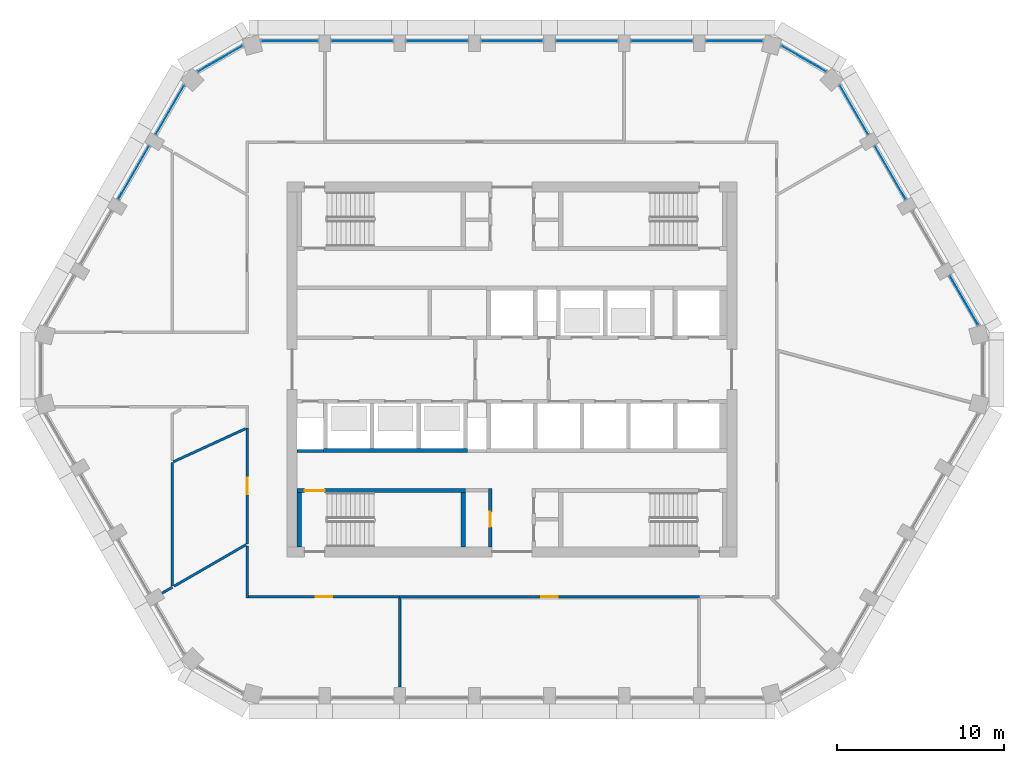
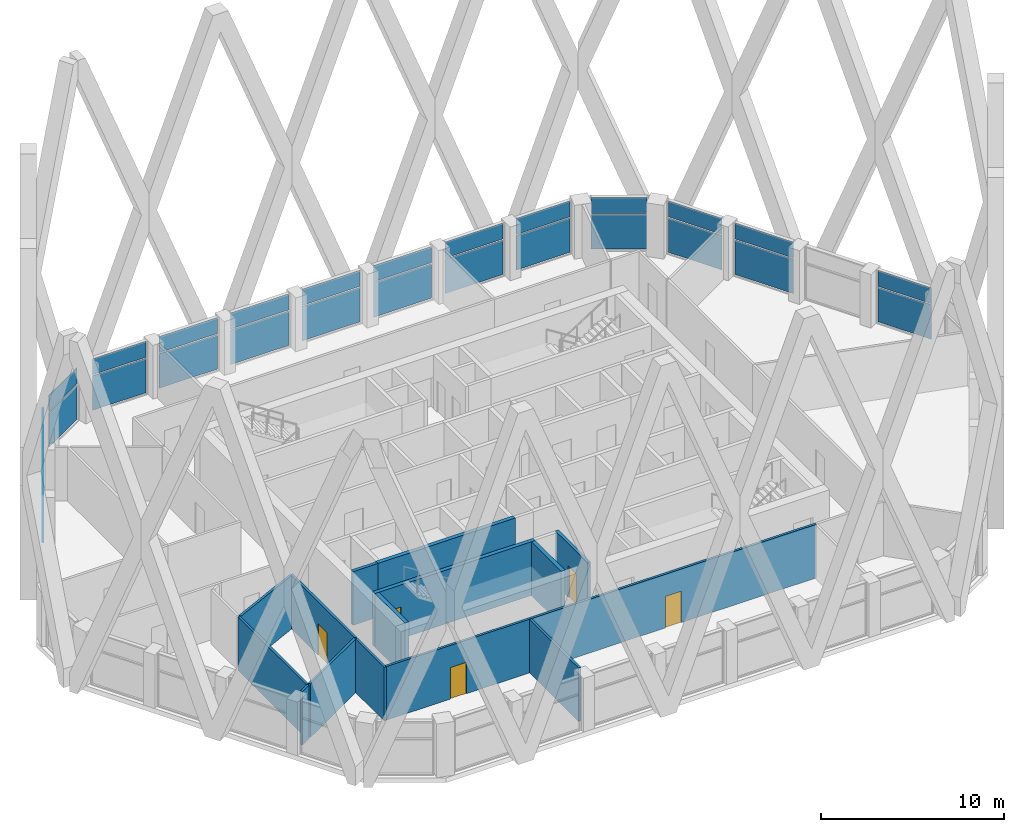
# One storey, part 8 of 20: 28 plates, 15 walls, 5 doors, 5 openings, 14 elements without a shape of their own.
"""IFC4 building model written with IfcOpenShell, lengths in metres."""

from ifc_helpers import new_model, si_unit, direction, frame, frame_2d, origin, origin_2d, place, context, subcontext, project, spatial, polyline, rectangle, outline, extrude, material, layer, layer_set, type_object, element, fill, aggregate, save


model = new_model("IFC4")

# Units and contexts
model_context = context("Model", 3, precision=1e-05, world=origin(), true_north=direction((0.0, 1.0)))
body_context = subcontext(model_context, "Body", "Model", "MODEL_VIEW")
ifc_project = project(units=[si_unit("LENGTHUNIT", "METRE"), si_unit("AREAUNIT", "SQUARE_METRE"), si_unit("VOLUMEUNIT", "CUBIC_METRE"), si_unit("PLANEANGLEUNIT", "RADIAN"), si_unit("MASSUNIT", "GRAM", prefix="KILO")], contexts=[model_context])

# Site, building, storey
site_placement = place(None, origin())
site = spatial("IfcSite", under=ifc_project, at=site_placement, CompositionType="ELEMENT")
building_placement = place(site_placement, origin())
building = spatial("IfcBuilding", under=site, at=building_placement, Name="Dhurran Vertical Campus", CompositionType="ELEMENT")
storey_placement = place(building_placement, frame((0.0, 0.0, 235.199951171875)))
storey = spatial("IfcBuildingStorey", under=building, at=storey_placement, Name="L58", CompositionType="ELEMENT", Elevation=235.199951171875)

# Curtain wall, plates
ifc_material_1 = material(Name="Aluminium frame with solar-control glass", Category="aluminium")
ifc_layer_1 = layer(ifc_material_1, 0.25)
ifc_layer_set_1 = layer_set([ifc_layer_1], Name="Aluminium frame with solar-control glass")
curtain_wall_type = type_object("IfcCurtainWallType", Name="Sky lobby glazing system", PredefinedType="NOTDEFINED", material=ifc_layer_set_1)
curtain_wall_1_placement = place(storey_placement, origin())
curtain_wall_1 = element("IfcCurtainWall", 1, at=curtain_wall_1_placement, inside=storey, type_object=curtain_wall_type, Name="CW3 L58.13", PredefinedType="NOTDEFINED")
ifc_material_2 = material(Name="Clear solar-control glass", Category="glass")
ifc_layer_2 = layer(ifc_material_2, 0.028076171875)
ifc_layer_set_2 = layer_set([ifc_layer_2], Name="Clear solar-control glass")
plate_type = type_object("IfcPlateType", Name="Sky lobby glazing system panel", PredefinedType="CURTAIN_PANEL", material=ifc_layer_set_2)
plate_1_placement = place(storey_placement, frame((27.143798828125, 4.154052734375, 0.070068359375), z_axis=(0.0, 0.0, 1.0), x_axis=(-0.500001294024, 0.866024656678, 0.0)))
plate_1 = element("IfcPlate", 2, at=plate_1_placement, type_object=plate_type, Name="CW3 panel 1.1", PredefinedType="CURTAIN_PANEL", context=body_context, shape_type="SweptSolid", body=[
    extrude(rectangle(XDim=3.357666015625, YDim=0.028076171875, at=origin_2d()), origin(), (0.0, 0.0, 1.0), 2.294921875),
])
plate_2_placement = place(storey_placement, frame((27.143798828125, 4.154052734375, 2.43505859375), z_axis=(0.0, 0.0, 1.0), x_axis=(-0.500001294024, 0.866024656678, 0.0)))
plate_2 = element("IfcPlate", 3, at=plate_2_placement, type_object=plate_type, Name="CW3 panel 1.2", PredefinedType="CURTAIN_PANEL", context=body_context, shape_type="SweptSolid", body=[
    extrude(rectangle(XDim=3.357666015625, YDim=0.028076171875, at=origin_2d()), origin(), (0.0, 0.0, 1.0), 1.070068359375),
])
aggregate(curtain_wall_1, [plate_1, plate_2])

curtain_wall_2_placement = place(storey_placement, origin())
curtain_wall_2 = element("IfcCurtainWall", 4, at=curtain_wall_2_placement, inside=storey, type_object=curtain_wall_type, Name="CW3 L58.15", PredefinedType="NOTDEFINED")
plate_3_placement = place(storey_placement, frame((22.718994140625, 11.81787109375, 0.070068359375), z_axis=(0.0, 0.0, 1.0), x_axis=(-0.500003477457, 0.866023396064, 0.0)))
plate_3 = element("IfcPlate", 5, at=plate_3_placement, type_object=plate_type, Name="CW3 panel 1.1", PredefinedType="CURTAIN_PANEL", context=body_context, shape_type="SweptSolid", body=[
    extrude(rectangle(XDim=3.658935546875, YDim=0.028076171875, at=origin_2d()), origin(), (0.0, 0.0, 1.0), 2.294921875),
])
plate_4_placement = place(storey_placement, frame((22.718994140625, 11.81787109375, 2.43505859375), z_axis=(0.0, 0.0, 1.0), x_axis=(-0.500003477457, 0.866023396064, 0.0)))
plate_4 = element("IfcPlate", 6, at=plate_4_placement, type_object=plate_type, Name="CW3 panel 1.2", PredefinedType="CURTAIN_PANEL", context=body_context, shape_type="SweptSolid", body=[
    extrude(rectangle(XDim=3.658935546875, YDim=0.028076171875, at=origin_2d()), origin(), (0.0, 0.0, 1.0), 1.070068359375),
])
aggregate(curtain_wall_2, [plate_3, plate_4])

curtain_wall_3_placement = place(storey_placement, origin())
curtain_wall_3 = element("IfcCurtainWall", 7, at=curtain_wall_3_placement, inside=storey, type_object=curtain_wall_type, Name="CW3 L58.16", PredefinedType="NOTDEFINED")
plate_5_placement = place(storey_placement, frame((20.54443359375, 15.58447265625, 0.070068359375), z_axis=(0.0, 0.0, 1.0), x_axis=(-0.500010356607, 0.866019424312, 0.0)))
plate_5 = element("IfcPlate", 8, at=plate_5_placement, type_object=plate_type, Name="CW3 panel 1.1", PredefinedType="CURTAIN_PANEL", context=body_context, shape_type="SweptSolid", body=[
    extrude(rectangle(XDim=3.357666015625, YDim=0.028076171875, at=origin_2d()), origin(), (0.0, 0.0, 1.0), 2.294921875),
])
plate_6_placement = place(storey_placement, frame((20.54443359375, 15.58447265625, 2.43505859375), z_axis=(0.0, 0.0, 1.0), x_axis=(-0.500010356607, 0.866019424312, 0.0)))
plate_6 = element("IfcPlate", 9, at=plate_6_placement, type_object=plate_type, Name="CW3 panel 1.2", PredefinedType="CURTAIN_PANEL", context=body_context, shape_type="SweptSolid", body=[
    extrude(rectangle(XDim=3.357666015625, YDim=0.028076171875, at=origin_2d()), origin(), (0.0, 0.0, 1.0), 1.070068359375),
])
aggregate(curtain_wall_3, [plate_5, plate_6])

curtain_wall_4_placement = place(storey_placement, origin())
curtain_wall_4 = element("IfcCurtainWall", 10, at=curtain_wall_4_placement, inside=storey, type_object=curtain_wall_type, Name="CW3 L58.17", PredefinedType="NOTDEFINED")
plate_7_placement = place(storey_placement, frame((17.523681640625, 18.660400390625, 0.070068359375), z_axis=(0.0, 0.0, 1.0), x_axis=(-0.866026155017, 0.499998698825, 0.0)))
plate_7 = element("IfcPlate", 11, at=plate_7_placement, type_object=plate_type, Name="CW3 panel 1.1", PredefinedType="CURTAIN_PANEL", context=body_context, shape_type="SweptSolid", body=[
    extrude(rectangle(XDim=3.05615234375, YDim=0.028076171875, at=origin_2d()), origin(), (0.0, 0.0, 1.0), 2.294921875),
])
plate_8_placement = place(storey_placement, frame((17.523681640625, 18.660400390625, 2.43505859375), z_axis=(0.0, 0.0, 1.0), x_axis=(-0.866026155017, 0.499998698825, 0.0)))
plate_8 = element("IfcPlate", 12, at=plate_8_placement, type_object=plate_type, Name="CW3 panel 1.2", PredefinedType="CURTAIN_PANEL", context=body_context, shape_type="SweptSolid", body=[
    extrude(rectangle(XDim=3.05615234375, YDim=0.028076171875, at=origin_2d()), origin(), (0.0, 0.0, 1.0), 1.070068359375),
])
aggregate(curtain_wall_4, [plate_7, plate_8])

curtain_wall_5_placement = place(storey_placement, origin())
curtain_wall_5 = element("IfcCurtainWall", 13, at=curtain_wall_5_placement, inside=storey, type_object=curtain_wall_type, Name="CW3 L58.18", PredefinedType="NOTDEFINED")
plate_9_placement = place(storey_placement, frame((13.349365234375, 19.738525390625, 0.070068359375), z_axis=(0.0, 0.0, 1.0), x_axis=(-1.0, 0.0, 0.0)))
plate_9 = element("IfcPlate", 14, at=plate_9_placement, type_object=plate_type, Name="CW3 panel 1.1", PredefinedType="CURTAIN_PANEL", context=body_context, shape_type="SweptSolid", body=[
    extrude(rectangle(XDim=3.357666015625, YDim=0.028076171875, at=origin_2d()), origin(), (0.0, 0.0, 1.0), 2.294921875),
])
plate_10_placement = place(storey_placement, frame((13.349365234375, 19.738525390625, 2.43505859375), z_axis=(0.0, 0.0, 1.0), x_axis=(-1.0, 0.0, 0.0)))
plate_10 = element("IfcPlate", 15, at=plate_10_placement, type_object=plate_type, Name="CW3 panel 1.2", PredefinedType="CURTAIN_PANEL", context=body_context, shape_type="SweptSolid", body=[
    extrude(rectangle(XDim=3.357666015625, YDim=0.028076171875, at=origin_2d()), origin(), (0.0, 0.0, 1.0), 1.070068359375),
])
aggregate(curtain_wall_5, [plate_9, plate_10])

curtain_wall_6_placement = place(storey_placement, origin())
curtain_wall_6 = element("IfcCurtainWall", 16, at=curtain_wall_6_placement, inside=storey, type_object=curtain_wall_type, Name="CW3 L58.19", PredefinedType="NOTDEFINED")
plate_11_placement = place(storey_placement, frame((9.0, 19.738525390625, 0.070068359375), z_axis=(0.0, 0.0, 1.0), x_axis=(-1.0, 0.0, 0.0)))
plate_11 = element("IfcPlate", 17, at=plate_11_placement, type_object=plate_type, Name="CW3 panel 1.1", PredefinedType="CURTAIN_PANEL", context=body_context, shape_type="SweptSolid", body=[
    extrude(rectangle(XDim=3.658935546875, YDim=0.028076171875, at=origin_2d()), origin(), (0.0, 0.0, 1.0), 2.294921875),
])
plate_12_placement = place(storey_placement, frame((9.0, 19.738525390625, 2.43505859375), z_axis=(0.0, 0.0, 1.0), x_axis=(-1.0, 0.0, 0.0)))
plate_12 = element("IfcPlate", 18, at=plate_12_placement, type_object=plate_type, Name="CW3 panel 1.2", PredefinedType="CURTAIN_PANEL", context=body_context, shape_type="SweptSolid", body=[
    extrude(rectangle(XDim=3.658935546875, YDim=0.028076171875, at=origin_2d()), origin(), (0.0, 0.0, 1.0), 1.070068359375),
])
aggregate(curtain_wall_6, [plate_11, plate_12])

curtain_wall_7_placement = place(storey_placement, origin())
curtain_wall_7 = element("IfcCurtainWall", 19, at=curtain_wall_7_placement, inside=storey, type_object=curtain_wall_type, Name="CW3 L58.20", PredefinedType="NOTDEFINED")
plate_13_placement = place(storey_placement, frame((4.5, 19.738525390625, 0.070068359375), z_axis=(0.0, 0.0, 1.0), x_axis=(-1.0, 0.0, 0.0)))
plate_13 = element("IfcPlate", 20, at=plate_13_placement, type_object=plate_type, Name="CW3 panel 1.1", PredefinedType="CURTAIN_PANEL", context=body_context, shape_type="SweptSolid", body=[
    extrude(rectangle(XDim=3.658935546875, YDim=0.028076171875, at=origin_2d()), origin(), (0.0, 0.0, 1.0), 2.294921875),
])
plate_14_placement = place(storey_placement, frame((4.5, 19.738525390625, 2.43505859375), z_axis=(0.0, 0.0, 1.0), x_axis=(-1.0, 0.0, 0.0)))
plate_14 = element("IfcPlate", 21, at=plate_14_placement, type_object=plate_type, Name="CW3 panel 1.2", PredefinedType="CURTAIN_PANEL", context=body_context, shape_type="SweptSolid", body=[
    extrude(rectangle(XDim=3.658935546875, YDim=0.028076171875, at=origin_2d()), origin(), (0.0, 0.0, 1.0), 1.070068359375),
])
aggregate(curtain_wall_7, [plate_13, plate_14])

curtain_wall_8_placement = place(storey_placement, origin())
curtain_wall_8 = element("IfcCurtainWall", 22, at=curtain_wall_8_placement, inside=storey, type_object=curtain_wall_type, Name="CW3 L58.21", PredefinedType="NOTDEFINED")
plate_15_placement = place(storey_placement, frame((0.0, 19.738525390625, 0.070068359375), z_axis=(0.0, 0.0, 1.0), x_axis=(-1.0, 0.0, 0.0)))
plate_15 = element("IfcPlate", 23, at=plate_15_placement, type_object=plate_type, Name="CW3 panel 1.1", PredefinedType="CURTAIN_PANEL", context=body_context, shape_type="SweptSolid", body=[
    extrude(rectangle(XDim=3.658935546875, YDim=0.028076171875, at=origin_2d()), origin(), (0.0, 0.0, 1.0), 2.294921875),
])
plate_16_placement = place(storey_placement, frame((0.0, 19.738525390625, 2.43505859375), z_axis=(0.0, 0.0, 1.0), x_axis=(-1.0, 0.0, 0.0)))
plate_16 = element("IfcPlate", 24, at=plate_16_placement, type_object=plate_type, Name="CW3 panel 1.2", PredefinedType="CURTAIN_PANEL", context=body_context, shape_type="SweptSolid", body=[
    extrude(rectangle(XDim=3.658935546875, YDim=0.028076171875, at=origin_2d()), origin(), (0.0, 0.0, 1.0), 1.070068359375),
])
aggregate(curtain_wall_8, [plate_15, plate_16])

curtain_wall_9_placement = place(storey_placement, origin())
curtain_wall_9 = element("IfcCurtainWall", 25, at=curtain_wall_9_placement, inside=storey, type_object=curtain_wall_type, Name="CW3 L58.22", PredefinedType="NOTDEFINED")
plate_17_placement = place(storey_placement, frame((-4.5, 19.738525390625, 0.070068359375), z_axis=(0.0, 0.0, 1.0), x_axis=(-1.0, 0.0, 0.0)))
plate_17 = element("IfcPlate", 26, at=plate_17_placement, type_object=plate_type, Name="CW3 panel 1.1", PredefinedType="CURTAIN_PANEL", context=body_context, shape_type="SweptSolid", body=[
    extrude(rectangle(XDim=3.658935546875, YDim=0.028076171875, at=origin_2d()), origin(), (0.0, 0.0, 1.0), 2.294921875),
])
plate_18_placement = place(storey_placement, frame((-4.5, 19.738525390625, 2.43505859375), z_axis=(0.0, 0.0, 1.0), x_axis=(-1.0, 0.0, 0.0)))
plate_18 = element("IfcPlate", 27, at=plate_18_placement, type_object=plate_type, Name="CW3 panel 1.2", PredefinedType="CURTAIN_PANEL", context=body_context, shape_type="SweptSolid", body=[
    extrude(rectangle(XDim=3.658935546875, YDim=0.028076171875, at=origin_2d()), origin(), (0.0, 0.0, 1.0), 1.070068359375),
])
aggregate(curtain_wall_9, [plate_17, plate_18])

curtain_wall_10_placement = place(storey_placement, origin())
curtain_wall_10 = element("IfcCurtainWall", 28, at=curtain_wall_10_placement, inside=storey, type_object=curtain_wall_type, Name="CW3 L58.23", PredefinedType="NOTDEFINED")
plate_19_placement = place(storey_placement, frame((-9.0, 19.738525390625, 0.070068359375), z_axis=(0.0, 0.0, 1.0), x_axis=(-1.0, 0.0, 0.0)))
plate_19 = element("IfcPlate", 29, at=plate_19_placement, type_object=plate_type, Name="CW3 panel 1.1", PredefinedType="CURTAIN_PANEL", context=body_context, shape_type="SweptSolid", body=[
    extrude(rectangle(XDim=3.658935546875, YDim=0.028076171875, at=origin_2d()), origin(), (0.0, 0.0, 1.0), 2.294921875),
])
plate_20_placement = place(storey_placement, frame((-9.0, 19.738525390625, 2.43505859375), z_axis=(0.0, 0.0, 1.0), x_axis=(-1.0, 0.0, 0.0)))
plate_20 = element("IfcPlate", 30, at=plate_20_placement, type_object=plate_type, Name="CW3 panel 1.2", PredefinedType="CURTAIN_PANEL", context=body_context, shape_type="SweptSolid", body=[
    extrude(rectangle(XDim=3.658935546875, YDim=0.028076171875, at=origin_2d()), origin(), (0.0, 0.0, 1.0), 1.070068359375),
])
aggregate(curtain_wall_10, [plate_19, plate_20])

curtain_wall_11_placement = place(storey_placement, origin())
curtain_wall_11 = element("IfcCurtainWall", 31, at=curtain_wall_11_placement, inside=storey, type_object=curtain_wall_type, Name="CW3 L58.24", PredefinedType="NOTDEFINED")
plate_21_placement = place(storey_placement, frame((-13.349365234375, 19.738525390625, 0.070068359375), z_axis=(0.0, 0.0, 1.0), x_axis=(-1.0, 0.0, 0.0)))
plate_21 = element("IfcPlate", 32, at=plate_21_placement, type_object=plate_type, Name="CW3 panel 1.1", PredefinedType="CURTAIN_PANEL", context=body_context, shape_type="SweptSolid", body=[
    extrude(rectangle(XDim=3.357666015625, YDim=0.028076171875, at=origin_2d()), origin(), (0.0, 0.0, 1.0), 2.294921875),
])
plate_22_placement = place(storey_placement, frame((-13.349365234375, 19.738525390625, 2.43505859375), z_axis=(0.0, 0.0, 1.0), x_axis=(-1.0, 0.0, 0.0)))
plate_22 = element("IfcPlate", 33, at=plate_22_placement, type_object=plate_type, Name="CW3 panel 1.2", PredefinedType="CURTAIN_PANEL", context=body_context, shape_type="SweptSolid", body=[
    extrude(rectangle(XDim=3.357666015625, YDim=0.028076171875, at=origin_2d()), origin(), (0.0, 0.0, 1.0), 1.070068359375),
])
aggregate(curtain_wall_11, [plate_21, plate_22])

curtain_wall_12_placement = place(storey_placement, origin())
curtain_wall_12 = element("IfcCurtainWall", 34, at=curtain_wall_12_placement, inside=storey, type_object=curtain_wall_type, Name="CW3 L58.25", PredefinedType="NOTDEFINED")
plate_23_placement = place(storey_placement, frame((-17.523681640625, 18.660400390625, 0.070068359375), z_axis=(0.0, 0.0, 1.0), x_axis=(-0.866026155017, -0.499998698825, 0.0)))
plate_23 = element("IfcPlate", 35, at=plate_23_placement, type_object=plate_type, Name="CW3 panel 1.1", PredefinedType="CURTAIN_PANEL", context=body_context, shape_type="SweptSolid", body=[
    extrude(rectangle(XDim=3.05615234375, YDim=0.028076171875, at=origin_2d()), origin(), (0.0, 0.0, 1.0), 2.294921875),
])
plate_24_placement = place(storey_placement, frame((-17.523681640625, 18.660400390625, 2.43505859375), z_axis=(0.0, 0.0, 1.0), x_axis=(-0.866026155017, -0.499998698825, 0.0)))
plate_24 = element("IfcPlate", 36, at=plate_24_placement, type_object=plate_type, Name="CW3 panel 1.2", PredefinedType="CURTAIN_PANEL", context=body_context, shape_type="SweptSolid", body=[
    extrude(rectangle(XDim=3.05615234375, YDim=0.028076171875, at=origin_2d()), origin(), (0.0, 0.0, 1.0), 1.070068359375),
])
aggregate(curtain_wall_12, [plate_23, plate_24])

curtain_wall_13_placement = place(storey_placement, origin())
curtain_wall_13 = element("IfcCurtainWall", 37, at=curtain_wall_13_placement, inside=storey, type_object=curtain_wall_type, Name="CW3 L58.26", PredefinedType="NOTDEFINED")
plate_25_placement = place(storey_placement, frame((-20.54443359375, 15.58447265625, 0.070068359375), z_axis=(0.0, 0.0, 1.0), x_axis=(-0.500010356607, -0.866019424312, 0.0)))
plate_25 = element("IfcPlate", 38, at=plate_25_placement, type_object=plate_type, Name="CW3 panel 1.1", PredefinedType="CURTAIN_PANEL", context=body_context, shape_type="SweptSolid", body=[
    extrude(rectangle(XDim=3.357666015625, YDim=0.028076171875, at=origin_2d()), origin(), (0.0, 0.0, 1.0), 2.294921875),
])
plate_26_placement = place(storey_placement, frame((-20.54443359375, 15.58447265625, 2.43505859375), z_axis=(0.0, 0.0, 1.0), x_axis=(-0.500010356607, -0.866019424312, 0.0)))
plate_26 = element("IfcPlate", 39, at=plate_26_placement, type_object=plate_type, Name="CW3 panel 1.2", PredefinedType="CURTAIN_PANEL", context=body_context, shape_type="SweptSolid", body=[
    extrude(rectangle(XDim=3.357666015625, YDim=0.028076171875, at=origin_2d()), origin(), (0.0, 0.0, 1.0), 1.070068359375),
])
aggregate(curtain_wall_13, [plate_25, plate_26])

curtain_wall_14_placement = place(storey_placement, origin())
curtain_wall_14 = element("IfcCurtainWall", 40, at=curtain_wall_14_placement, inside=storey, type_object=curtain_wall_type, Name="CW3 L58.27", PredefinedType="NOTDEFINED")
plate_27_placement = place(storey_placement, frame((-22.718994140625, 11.81787109375, 0.070068359375), z_axis=(0.0, 0.0, 1.0), x_axis=(-0.500003477457, -0.866023396064, 0.0)))
plate_27 = element("IfcPlate", 41, at=plate_27_placement, type_object=plate_type, Name="CW3 panel 1.1", PredefinedType="CURTAIN_PANEL", context=body_context, shape_type="SweptSolid", body=[
    extrude(rectangle(XDim=3.658935546875, YDim=0.028076171875, at=origin_2d()), origin(), (0.0, 0.0, 1.0), 2.294921875),
])
plate_28_placement = place(storey_placement, frame((-22.718994140625, 11.81787109375, 2.43505859375), z_axis=(0.0, 0.0, 1.0), x_axis=(-0.500003477457, -0.866023396064, 0.0)))
plate_28 = element("IfcPlate", 42, at=plate_28_placement, type_object=plate_type, Name="CW3 panel 1.2", PredefinedType="CURTAIN_PANEL", context=body_context, shape_type="SweptSolid", body=[
    extrude(rectangle(XDim=3.658935546875, YDim=0.028076171875, at=origin_2d()), origin(), (0.0, 0.0, 1.0), 1.070068359375),
])
aggregate(curtain_wall_14, [plate_27, plate_28])

# Wall, opening, door
ifc_material_3 = material(Name="Fire-rated masonry blockwork", Category="masonry")
ifc_layer_3 = layer(ifc_material_3, 0.199951171875)
ifc_layer_set_3 = layer_set([ifc_layer_3], Name="Fire-rated masonry blockwork")
wall_type_1 = type_object("IfcWallType", Name="co-FIRE-PARTITION-200", PredefinedType="PARTITIONING", material=ifc_layer_set_3)
wall_1_placement = place(storey_placement, frame((-1.300048828125, -10.64990234375, 0.0), z_axis=(0.0, 0.0, 1.0), x_axis=(0.0, 1.0, 0.0)))
wall_1 = element("IfcWall", 43, at=wall_1_placement, inside=storey, type_object=wall_type_1, Name="Core partition vest-SW L58", PredefinedType="PARTITIONING", context=body_context, shape_type="SweptSolid", body=[
    extrude(rectangle(XDim=3.5, YDim=0.199951171875, at=frame_2d((1.75, 0.0))), origin(), (0.0, 0.0, 1.0), 3.574951171875),
])
opening_1_placement = place(wall_1_placement, frame((1.199951171875, 0.0, 0.0)))
opening_1 = element("IfcOpeningElement", 44, at=opening_1_placement, cuts=wall_1, Name="Opening T17-C1", PredefinedType="OPENING", context=body_context, shape_type="SweptSolid", body=[
    extrude(rectangle(XDim=0.89990234375, YDim=2.10009765625, at=frame_2d((0.449951171875, 1.050048828125))), frame((0.0, 0.10986328125, 0.0), z_axis=(0.0, -1.0, 0.0), x_axis=(1.0, 0.0, 0.0)), (0.0, 0.0, 1.0), 0.219970703125),
])
ifc_material_4 = material(Name="Fire-rated timber door set", Category="wood")
door_type_1 = type_object("IfcDoorType", Name="co-D-ROOM 900x2100", OperationType="SINGLE_SWING_LEFT", PredefinedType="DOOR", material=ifc_material_4)
door_1_placement = place(opening_1_placement, origin())
door_1 = element("IfcDoor", 45, at=door_1_placement, inside=storey, type_object=door_type_1, Name="Fire equipment store door L58", OperationType="SINGLE_SWING_LEFT", OverallHeight=2.10009765625, OverallWidth=0.89990234375, PredefinedType="DOOR", context=body_context, shape_type="SweptSolid", body=[
    extrude(rectangle(XDim=0.89990234375, YDim=2.10009765625, at=frame_2d((0.449951171875, 1.050048828125))), frame((0.0, 0.02490234375, 0.0), z_axis=(0.0, -1.0, 0.0), x_axis=(1.0, 0.0, 0.0)), (0.0, 0.0, 1.0), 0.050048828125),
])
fill(opening_1, door_1)

# Walls
wall_2_placement = place(storey_placement, frame((-12.89990234375, -4.89990234375, 0.0), z_axis=(0.0, 0.0, 1.0), x_axis=(1.0, 0.0, 0.0)))
element("IfcWall", 46, at=wall_2_placement, inside=storey, type_object=wall_type_1, Name="Core partition fr-S0-b L58", PredefinedType="PARTITIONING", context=body_context, shape_type="SweptSolid", body=[
    extrude(rectangle(XDim=1.574951171875, YDim=0.199951171875, at=frame_2d((0.78759765625, 0.0))), origin(), (0.0, 0.0, 1.0), 3.574951171875),
])
ifc_material_5 = material(Name="Concrete C50/60", Category="concrete")
ifc_layer_4 = layer(ifc_material_5, 0.25)
ifc_layer_set_4 = layer_set([ifc_layer_4], Name="Concrete C50/60")
wall_type_2 = type_object("IfcWallType", Name="co-SHAFT-MASS-250", PredefinedType="SHEAR", material=ifc_layer_set_4)
wall_3_placement = place(storey_placement, origin())
element("IfcWall", 47, at=wall_3_placement, inside=storey, type_object=wall_type_2, Name="Lift shaft wall S L58 1", PredefinedType="SHEAR", context=body_context, shape_type="SweptSolid", body=[
    extrude(outline(polyline([(-11.324951171875, -5.0), (-2.675048828125, -5.0), (-2.675048828125, -4.75), (-11.324951171875, -4.75), (-11.324951171875, -5.0)])), origin(), (0.0, 0.0, 1.0), 3.574951171875),
])

# Wall, opening, door
ifc_material_6 = material(Name="Concrete C40/50", Category="concrete")
ifc_layer_5 = layer(ifc_material_6, 0.25)
ifc_layer_set_5 = layer_set([ifc_layer_5], Name="Concrete C40/50")
wall_type_3 = type_object("IfcWallType", Name="co-STAIR-WALL-250", PredefinedType="SHEAR", material=ifc_layer_set_5)
wall_4_placement = place(storey_placement, frame((-12.89990234375, -7.27490234375, 0.0), z_axis=(0.0, 0.0, 1.0), x_axis=(1.0, 0.0, 0.0)))
wall_4 = element("IfcWall", 48, at=wall_4_placement, inside=storey, type_object=wall_type_3, Name="Stair ST3 enclosure wall L58", PredefinedType="SHEAR", context=body_context, shape_type="SweptSolid", body=[
    extrude(rectangle(XDim=10.099853515625, YDim=0.25, at=frame_2d((5.0498046875, 0.0))), origin(), (0.0, 0.0, 1.0), 3.574951171875),
])
opening_2_placement = place(wall_4_placement, frame((0.449951171875, 0.0, 0.0)))
opening_2 = element("IfcOpeningElement", 49, at=opening_2_placement, cuts=wall_4, Name="Opening SD3", PredefinedType="OPENING", context=body_context, shape_type="SweptSolid", body=[
    extrude(rectangle(XDim=1.199951171875, YDim=2.10009765625, at=frame_2d((0.60009765625, 1.050048828125))), frame((0.0, 0.135009765625, 0.0), z_axis=(0.0, -1.0, 0.0), x_axis=(1.0, 0.0, 0.0)), (0.0, 0.0, 1.0), 0.27001953125),
])
ifc_material_7 = material(Name="Fire-rated steel door set", Category="steel")
door_type_2 = type_object("IfcDoorType", Name="co-D-STAIR 1200x2100", OperationType="SINGLE_SWING_LEFT", PredefinedType="DOOR", material=ifc_material_7)
door_2_placement = place(opening_2_placement, origin())
door_2 = element("IfcDoor", 50, at=door_2_placement, inside=storey, type_object=door_type_2, Name="Stair ST3 door L58", OperationType="SINGLE_SWING_LEFT", OverallHeight=2.10009765625, OverallWidth=1.199951171875, PredefinedType="DOOR", context=body_context, shape_type="SweptSolid", body=[
    extrude(rectangle(XDim=1.199951171875, YDim=2.10009765625, at=frame_2d((0.60009765625, 1.050048828125))), frame((0.0, 0.02490234375, 0.0), z_axis=(0.0, -1.0, 0.0), x_axis=(1.0, 0.0, 0.0)), (0.0, 0.0, 1.0), 0.050048828125),
])
fill(opening_2, door_2)

# Walls
for number, where, z_axis, x_axis, name in (
    (51, (-12.77490234375, -10.64990234375, 0.0), (0.0, 0.0, 1.0), (0.0, 1.0, 0.0), "Stair ST3 enclosure wall L58"),
    (52, (-2.925048828125, -10.64990234375, 0.0), (0.0, 0.0, 1.0), (0.0, 1.0, 0.0), "Stair ST3 enclosure wall L58"),
):
    element("IfcWall", number, at=place(storey_placement, frame(where, z_axis=z_axis, x_axis=x_axis)), inside=storey, type_object=wall_type_3, Name=name, PredefinedType="SHEAR", context=body_context, shape_type="SweptSolid", body=[
        extrude(rectangle(XDim=3.25, YDim=0.25, at=frame_2d((1.625, 0.0))), origin(), (0.0, 0.0, 1.0), 3.574951171875),
    ])
ifc_material_8 = material(Name="Gypsum board corridor wall on steel studs", Category="steel")
ifc_layer_6 = layer(ifc_material_8, 0.14990234375)
ifc_layer_set_6 = layer_set([ifc_layer_6], Name="Gypsum board corridor wall on steel studs")
wall_type_4 = type_object("IfcWallType", Name="fl-CW-150 corridor wall", PredefinedType="PARTITIONING", material=ifc_layer_set_6)
wall_5_placement = place(storey_placement, frame((-15.89990234375, -10.60888671875, 0.0), z_axis=(0.0, 0.0, 1.0), x_axis=(0.0, -1.0, 0.0)))
element("IfcWall", 53, at=wall_5_placement, inside=storey, type_object=wall_type_4, Name="Partition 58-14", PredefinedType="PARTITIONING", context=body_context, shape_type="SweptSolid", body=[
    extrude(rectangle(XDim=3.1162109375, YDim=0.14990234375, at=frame_2d((1.55810546875, 0.0))), origin(), (0.0, 0.0, 1.0), 3.574951171875),
])

# Wall, opening, door
wall_6_placement = place(storey_placement, frame((-15.824951171875, -13.64990234375, 0.0), z_axis=(0.0, 0.0, 1.0), x_axis=(1.0, 0.0, 0.0)))
wall_6 = element("IfcWall", 54, at=wall_6_placement, inside=storey, type_object=wall_type_4, Name="Partition 58-15", PredefinedType="PARTITIONING", context=body_context, shape_type="SweptSolid", body=[
    extrude(rectangle(XDim=9.074951171875, YDim=0.14990234375, at=frame_2d((4.53759765625, 0.0))), origin(), (0.0, 0.0, 1.0), 3.574951171875),
])
opening_3_placement = place(wall_6_placement, frame((4.03759765625, 0.0, 0.0)))
opening_3 = element("IfcOpeningElement", 55, at=opening_3_placement, cuts=wall_6, Name="Opening T17.07", PredefinedType="OPENING", context=body_context, shape_type="SweptSolid", body=[
    extrude(rectangle(XDim=1.0, YDim=2.10009765625, at=frame_2d((0.5, 1.050048828125))), frame((0.0, 0.0849609375, 0.0), z_axis=(0.0, -1.0, 0.0), x_axis=(1.0, 0.0, 0.0)), (0.0, 0.0, 1.0), 0.169921875),
])
ifc_material_9 = material(Name="Solid-core timber door set, fire-rated", Category="wood")
door_type_3 = type_object("IfcDoorType", Name="fl-D-1000x2100", OperationType="SINGLE_SWING_LEFT", PredefinedType="DOOR", material=ifc_material_9)
door_3_placement = place(opening_3_placement, origin())
door_3 = element("IfcDoor", 56, at=door_3_placement, inside=storey, type_object=door_type_3, Name="Door 58.07", OperationType="SINGLE_SWING_RIGHT", OverallHeight=2.10009765625, OverallWidth=1.0, PredefinedType="DOOR", context=body_context, shape_type="SweptSolid", body=[
    extrude(rectangle(XDim=1.0, YDim=2.10009765625, at=frame_2d((0.5, 1.050048828125))), frame((0.0, 0.02490234375, 0.0), z_axis=(0.0, -1.0, 0.0), x_axis=(1.0, 0.0, 0.0)), (0.0, 0.0, 1.0), 0.050048828125),
])
fill(opening_3, door_3)

wall_7_placement = place(storey_placement, frame((-15.89990234375, -3.508056640625, 0.0), z_axis=(0.0, 0.0, 1.0), x_axis=(0.0, -1.0, 0.0)))
wall_7 = element("IfcWall", 57, at=wall_7_placement, inside=storey, type_object=wall_type_4, Name="Partition 58-16", PredefinedType="PARTITIONING", context=body_context, shape_type="SweptSolid", body=[
    extrude(rectangle(XDim=6.970947265625, YDim=0.14990234375, at=frame_2d((3.4853515625, 0.0))), origin(), (0.0, 0.0, 1.0), 3.574951171875),
])
opening_4_placement = place(wall_7_placement, frame((2.985595703125, 0.0, 0.0)))
opening_4 = element("IfcOpeningElement", 58, at=opening_4_placement, cuts=wall_7, Name="Opening T17.05", PredefinedType="OPENING", context=body_context, shape_type="SweptSolid", body=[
    extrude(rectangle(XDim=1.0, YDim=2.10009765625, at=frame_2d((0.5, 1.050048828125))), frame((0.0, 0.0849609375, 0.0), z_axis=(0.0, -1.0, 0.0), x_axis=(1.0, 0.0, 0.0)), (0.0, 0.0, 1.0), 0.169921875),
])
door_4_placement = place(opening_4_placement, origin())
door_4 = element("IfcDoor", 59, at=door_4_placement, inside=storey, type_object=door_type_3, Name="Door 58.05", OperationType="SINGLE_SWING_RIGHT", OverallHeight=2.10009765625, OverallWidth=1.0, PredefinedType="DOOR", context=body_context, shape_type="SweptSolid", body=[
    extrude(rectangle(XDim=1.0, YDim=2.10009765625, at=frame_2d((0.5, 1.050048828125))), frame((0.0, 0.02490234375, 0.0), z_axis=(0.0, -1.0, 0.0), x_axis=(1.0, 0.0, 0.0)), (0.0, 0.0, 1.0), 0.050048828125),
])
fill(opening_4, door_4)

wall_8_placement = place(storey_placement, frame((-6.75, -13.64990234375, 0.0), z_axis=(0.0, 0.0, 1.0), x_axis=(1.0, 0.0, 0.0)))
wall_8 = element("IfcWall", 60, at=wall_8_placement, inside=storey, type_object=wall_type_4, Name="Partition 58-24", PredefinedType="PARTITIONING", context=body_context, shape_type="SweptSolid", body=[
    extrude(rectangle(XDim=18.0, YDim=0.14990234375, at=frame_2d((9.0, 0.0))), origin(), (0.0, 0.0, 1.0), 3.574951171875),
])
opening_5_placement = place(wall_8_placement, frame((8.5, 0.0, 0.0)))
opening_5 = element("IfcOpeningElement", 61, at=opening_5_placement, cuts=wall_8, Name="Opening T17.09", PredefinedType="OPENING", context=body_context, shape_type="SweptSolid", body=[
    extrude(rectangle(XDim=1.0, YDim=2.10009765625, at=frame_2d((0.5, 1.050048828125))), frame((0.0, 0.0849609375, 0.0), z_axis=(0.0, -1.0, 0.0), x_axis=(1.0, 0.0, 0.0)), (0.0, 0.0, 1.0), 0.169921875),
])
door_5_placement = place(opening_5_placement, origin())
door_5 = element("IfcDoor", 62, at=door_5_placement, inside=storey, type_object=door_type_3, Name="Door 58.09", OperationType="SINGLE_SWING_LEFT", OverallHeight=2.10009765625, OverallWidth=1.0, PredefinedType="DOOR", context=body_context, shape_type="SweptSolid", body=[
    extrude(rectangle(XDim=1.0, YDim=2.10009765625, at=frame_2d((0.5, 1.050048828125))), frame((0.0, 0.02490234375, 0.0), z_axis=(0.0, -1.0, 0.0), x_axis=(1.0, 0.0, 0.0)), (0.0, 0.0, 1.0), 0.050048828125),
])
fill(opening_5, door_5)

# Walls
ifc_material_10 = material(Name="Gypsum board partition on steel studs", Category="steel")
ifc_layer_7 = layer(ifc_material_10, 0.14990234375)
ifc_layer_set_7 = layer_set([ifc_layer_7], Name="Gypsum board partition on steel studs")
wall_type_5 = type_object("IfcWallType", Name="fl-PW-150 fixed partition", PredefinedType="PARTITIONING", material=ifc_layer_set_7)
wall_9_placement = place(storey_placement, frame((-20.39990234375, -13.076904296875, 0.0), z_axis=(0.0, 0.0, 1.0), x_axis=(-0.866030760678, -0.499990721473, 0.0)))
element("IfcWall", 63, at=wall_9_placement, inside=storey, type_object=wall_type_5, Name="Partition 58-03", PredefinedType="PARTITIONING", context=body_context, shape_type="SweptSolid", body=[
    extrude(rectangle(XDim=0.708984375, YDim=0.14990234375, at=frame_2d((0.3544921875, 0.0))), origin(), (0.0, 0.0, 1.0), 3.574951171875),
])
wall_10_placement = place(storey_placement, frame((-20.39990234375, -5.572021484375, 0.0), z_axis=(0.0, 0.0, 1.0), x_axis=(0.0, -1.0, 0.0)))
element("IfcWall", 64, at=wall_10_placement, inside=storey, type_object=wall_type_5, Name="Partition 58-05", PredefinedType="PARTITIONING", context=body_context, shape_type="SweptSolid", body=[
    extrude(rectangle(XDim=7.429931640625, YDim=0.14990234375, at=frame_2d((3.71484375, 0.0))), origin(), (0.0, 0.0, 1.0), 3.574951171875),
])
wall_11_placement = place(storey_placement, frame((-15.965087890625, -10.5166015625, 0.0), z_axis=(0.0, 0.0, 1.0), x_axis=(-0.866034070548, -0.499984988425, 0.0)))
element("IfcWall", 65, at=wall_11_placement, inside=storey, type_object=wall_type_5, Name="Partition 58-06", PredefinedType="PARTITIONING", context=body_context, shape_type="SweptSolid", body=[
    extrude(rectangle(XDim=4.990966796875, YDim=0.14990234375, at=frame_2d((2.49560546875, 0.0))), origin(), (0.0, 0.0, 1.0), 3.574951171875),
])
wall_12_placement = place(storey_placement, frame((-16.004638671875, -3.555908203125, 0.0), z_axis=(0.0, 0.0, 1.0), x_axis=(-0.908938523631, -0.416930162329, 0.0)))
element("IfcWall", 66, at=wall_12_placement, inside=storey, type_object=wall_type_5, Name="Partition 58-08", PredefinedType="PARTITIONING", context=body_context, shape_type="SweptSolid", body=[
    extrude(rectangle(XDim=4.7607421875, YDim=0.14990234375, at=frame_2d((2.38037109375, 0.0))), origin(), (0.0, 0.0, 1.0), 3.574951171875),
])
wall_13_placement = place(storey_placement, frame((-6.75, -13.72509765625, 0.0), z_axis=(0.0, 0.0, 1.0), x_axis=(0.0, -1.0, 0.0)))
element("IfcWall", 67, at=wall_13_placement, inside=storey, type_object=wall_type_5, Name="Partition 58-23", PredefinedType="PARTITIONING", context=body_context, shape_type="SweptSolid", body=[
    extrude(rectangle(XDim=5.343505859375, YDim=0.14990234375, at=frame_2d((2.671875, 0.0))), origin(), (0.0, 0.0, 1.0), 3.574951171875),
])

save(model, "model.ifc")
